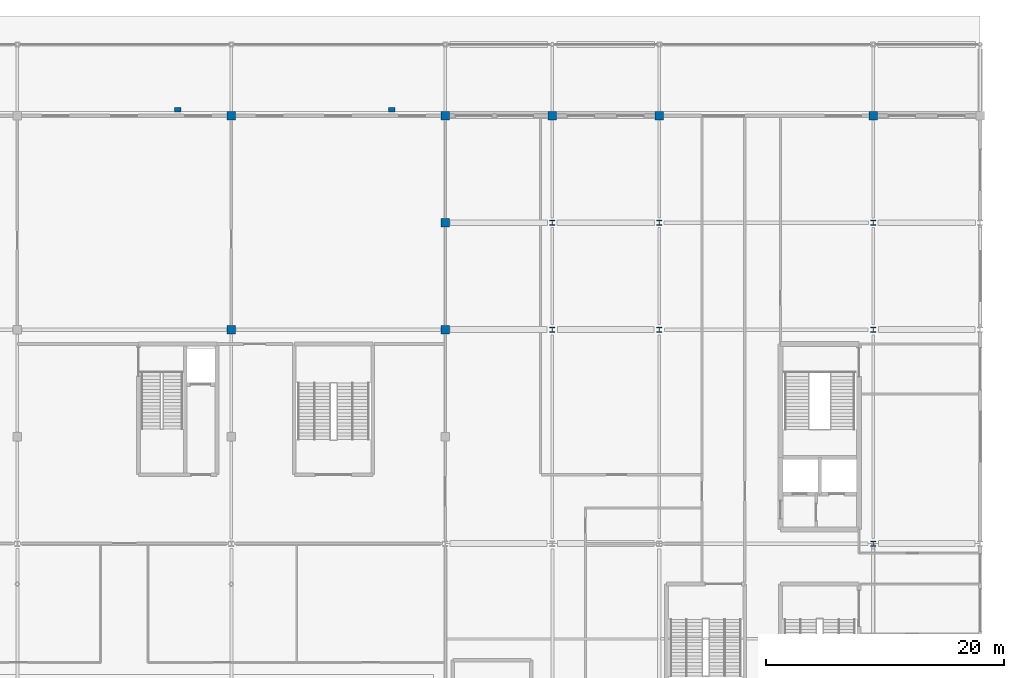
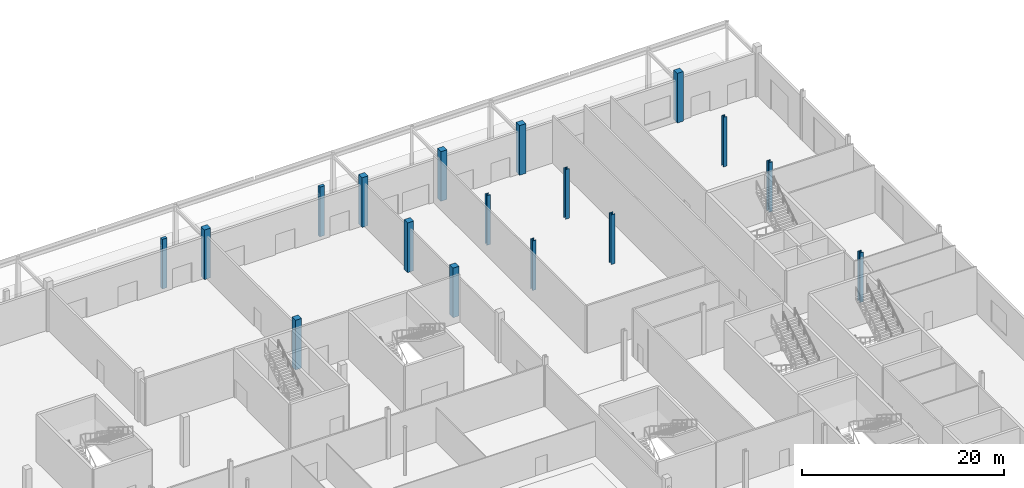
# One storey, part 14 of 84: 17 columns.
"""IFC4 building model written with IfcOpenShell, lengths in metres."""

from ifc_helpers import new_model, si_unit, direction, frame, origin, origin_2d, place, context, subcontext, project, spatial, rectangle, i_section, extrude, material, material_profile, profile_set, type_object, element, save


model = new_model("IFC4")

# Units and contexts
model_context = context("Model", 3, precision=1e-05, world=origin(), true_north=direction((0.0, 1.0)))
body_context = subcontext(model_context, "Body", "Model", "MODEL_VIEW")
ifc_project = project(units=[si_unit("LENGTHUNIT", "METRE"), si_unit("AREAUNIT", "SQUARE_METRE"), si_unit("VOLUMEUNIT", "CUBIC_METRE"), si_unit("PLANEANGLEUNIT", "RADIAN"), si_unit("MASSUNIT", "GRAM", prefix="KILO")], contexts=[model_context])

# Site, building, storey
site_placement = place(None, origin())
site = spatial("IfcSite", under=ifc_project, at=site_placement, CompositionType="ELEMENT")
building_placement = place(site_placement, origin())
building = spatial("IfcBuilding", under=site, at=building_placement, Name="Kisiwana Market Hall", CompositionType="ELEMENT")
storey_placement = place(building_placement, origin())
storey = spatial("IfcBuildingStorey", under=building, at=storey_placement, Name="L00", CompositionType="ELEMENT", Elevation=0.0)

# Columns
ifc_material_1 = material(Name="Concrete C40/50", Category="concrete")
ifc_material_profile_1 = material_profile(ifc_material_1, rectangle(XDim=0.699951171875, YDim=0.699951171875, at=origin_2d()), Name="RC 700x700")
ifc_profile_set_1 = profile_set([ifc_material_profile_1], Name="Concrete C40/50")
column_type_1 = type_object("IfcColumnType", Name="COL-RC-POD-700", PredefinedType="COLUMN", material=ifc_profile_set_1)
for number, where, z_axis, x_axis, name in (
    (1, (135.0, 102.0, 0.0), (0.0, 0.0, 1.0), (1.0, 0.0, 0.0), "Column N/16 (L00) C-0281"),
    (2, (135.0, 120.0, 0.0), (0.0, 0.0, 1.0), (1.0, 0.0, 0.0), "Column Q/16 (L00) C-0282"),
    (3, (153.0, 102.0, 0.0), (0.0, 0.0, 1.0), (1.0, 0.0, 0.0), "Column N/18 (L00) C-0292"),
    (4, (153.0, 111.0, 0.0), (0.0, 0.0, 1.0), (1.0, 0.0, 0.0), "Column P/18 (L00) C-0293"),
    (5, (153.0, 120.0, 0.0), (0.0, 0.0, 1.0), (1.0, 0.0, 0.0), "Column Q/18 (L00) C-0294"),
    (6, (162.0, 120.0, 0.0), (0.0, 0.0, 1.0), (1.0, 0.0, 0.0), "Column Q/19 (L00) C-0303"),
    (7, (171.0, 120.0, 0.0), (0.0, 0.0, 1.0), (1.0, 0.0, 0.0), "Column Q/20 (L00) C-0313"),
    (8, (189.0, 120.0, 0.0), (0.0, 0.0, 1.0), (1.0, 0.0, 0.0), "Column Q/22 (L00) C-0322"),
):
    element("IfcColumn", number, at=place(storey_placement, frame(where, z_axis=z_axis, x_axis=x_axis)), inside=storey, type_object=column_type_1, Name=name, PredefinedType="COLUMN", context=body_context, shape_type="SweptSolid", body=[
        extrude(rectangle(XDim=0.699951171875, YDim=0.699951171875, at=origin_2d()), origin(), (0.0, 0.0, 1.0), 6.0),
    ])
ifc_material_2 = material(Name="Steel S355", Category="steel")
ifc_material_profile_2 = material_profile(ifc_material_2, i_section(OverallWidth=0.412109375, OverallDepth=0.43505859375, WebThickness=0.035888671875, FlangeThickness=0.05810546875, at=origin_2d()), Name="HD 400x463")
ifc_profile_set_2 = profile_set([ifc_material_profile_2], Name="Steel S355")
column_type_2 = type_object("IfcColumnType", Name="COL-STL-HD463", PredefinedType="COLUMN", material=ifc_profile_set_2)
for number, where, z_axis, x_axis, name in (
    (9, (162.0, 102.0, 0.0), (0.0, 0.0, 1.0), (1.0, 0.0, 0.0), "Column N/19 (L00) C-0301"),
    (10, (171.0, 102.0, 0.0), (0.0, 0.0, 1.0), (1.0, 0.0, 0.0), "Column N/20 (L00) C-0311"),
    (11, (189.0, 84.0, 0.0), (0.0, 0.0, 1.0), (1.0, 0.0, 0.0), "Column L/22 (L00) C-0319"),
    (12, (189.0, 102.0, 0.0), (0.0, 0.0, 1.0), (1.0, 0.0, 0.0), "Column N/22 (L00) C-0320"),
):
    element("IfcColumn", number, at=place(storey_placement, frame(where, z_axis=z_axis, x_axis=x_axis)), inside=storey, type_object=column_type_2, Name=name, PredefinedType="COLUMN", context=body_context, shape_type="SweptSolid", body=[
        extrude(i_section(OverallWidth=0.412109375, OverallDepth=0.43505859375, WebThickness=0.035888671875, FlangeThickness=0.05810546875, at=origin_2d()), origin(), (0.0, 0.0, 1.0), 6.0),
    ])
ifc_material_3 = material(Name="Steel S355", Category="steel")
ifc_material_profile_3 = material_profile(ifc_material_3, i_section(OverallWidth=0.403076171875, OverallDepth=0.406494140625, WebThickness=0.026611328125, FlangeThickness=0.04296875, at=origin_2d()), Name="UC 356x406x340")
ifc_profile_set_3 = profile_set([ifc_material_profile_3], Name="Steel S355")
column_type_3 = type_object("IfcColumnType", Name="COL-STL-UC340", PredefinedType="COLUMN", material=ifc_profile_set_3)
for number, where, z_axis, x_axis, name in (
    (13, (162.0, 111.0, 0.0), (0.0, 0.0, 1.0), (1.0, 0.0, 0.0), "Column P/19 (L00) C-0302"),
    (14, (171.0, 111.0, 0.0), (0.0, 0.0, 1.0), (1.0, 0.0, 0.0), "Column P/20 (L00) C-0312"),
    (15, (189.0, 111.0, 0.0), (0.0, 0.0, 1.0), (1.0, 0.0, 0.0), "Column P/22 (L00) C-0321"),
):
    element("IfcColumn", number, at=place(storey_placement, frame(where, z_axis=z_axis, x_axis=x_axis)), inside=storey, type_object=column_type_3, Name=name, PredefinedType="COLUMN", context=body_context, shape_type="SweptSolid", body=[
        extrude(i_section(OverallWidth=0.403076171875, OverallDepth=0.406494140625, WebThickness=0.026611328125, FlangeThickness=0.04296875, at=origin_2d()), origin(), (0.0, 0.0, 1.0), 6.0),
    ])
ifc_material_4 = material(Name="Concrete C40/50", Category="concrete")
ifc_material_profile_4 = material_profile(ifc_material_4, rectangle(XDim=0.550048828125, YDim=0.35009765625, at=origin_2d()), Name="PIL 550x350")
ifc_profile_set_4 = profile_set([ifc_material_profile_4], Name="Concrete C40/50")
column_type_4 = type_object("IfcColumnType", Name="PIL-CONC-550", PredefinedType="PILASTER", material=ifc_profile_set_4)
for number, where, z_axis, x_axis, name in (
    (16, (130.5, 120.5, 0.0), (0.0, 0.0, 1.0), (1.0, 0.0, 0.0), "Facade pilaster Q/15 (L00) C-0354"),
    (17, (148.5, 120.5, 0.0), (0.0, 0.0, 1.0), (1.0, 0.0, 0.0), "Facade pilaster Q/17 (L00) C-0355"),
):
    element("IfcColumn", number, at=place(storey_placement, frame(where, z_axis=z_axis, x_axis=x_axis)), inside=storey, type_object=column_type_4, Name=name, PredefinedType="PILASTER", context=body_context, shape_type="SweptSolid", body=[
        extrude(rectangle(XDim=0.550048828125, YDim=0.35009765625, at=origin_2d()), origin(), (0.0, 0.0, 1.0), 6.0),
    ])

save(model, "model.ifc")
